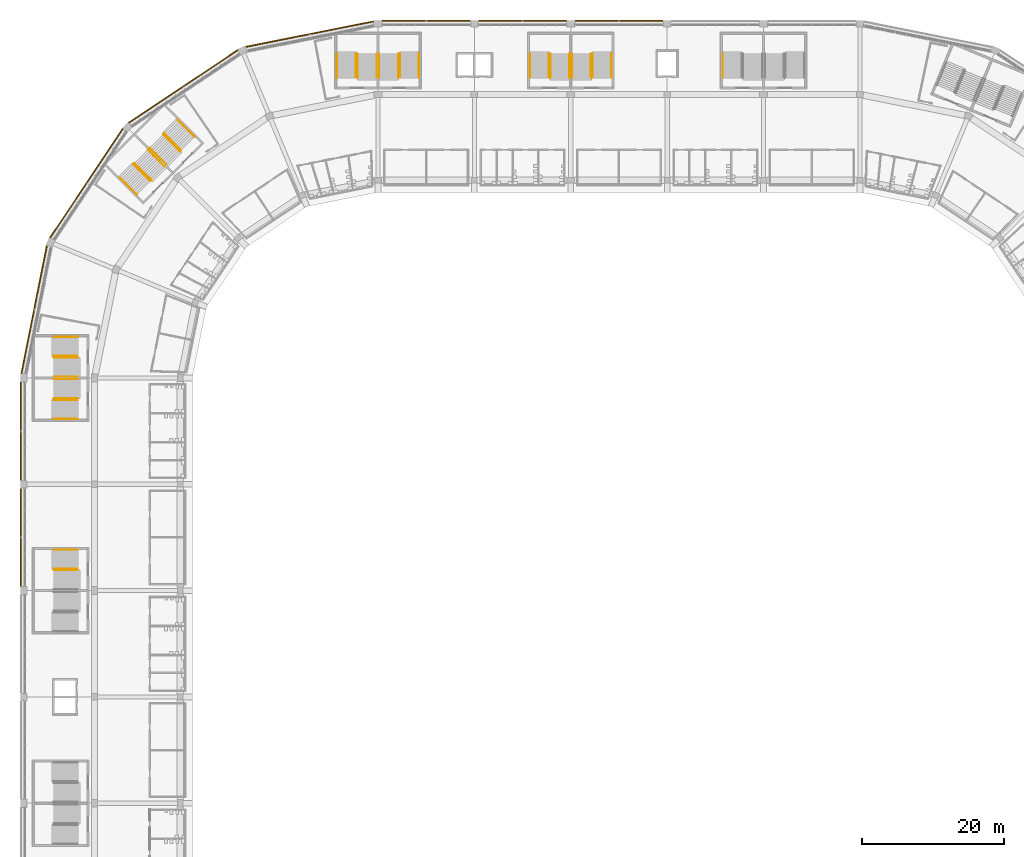
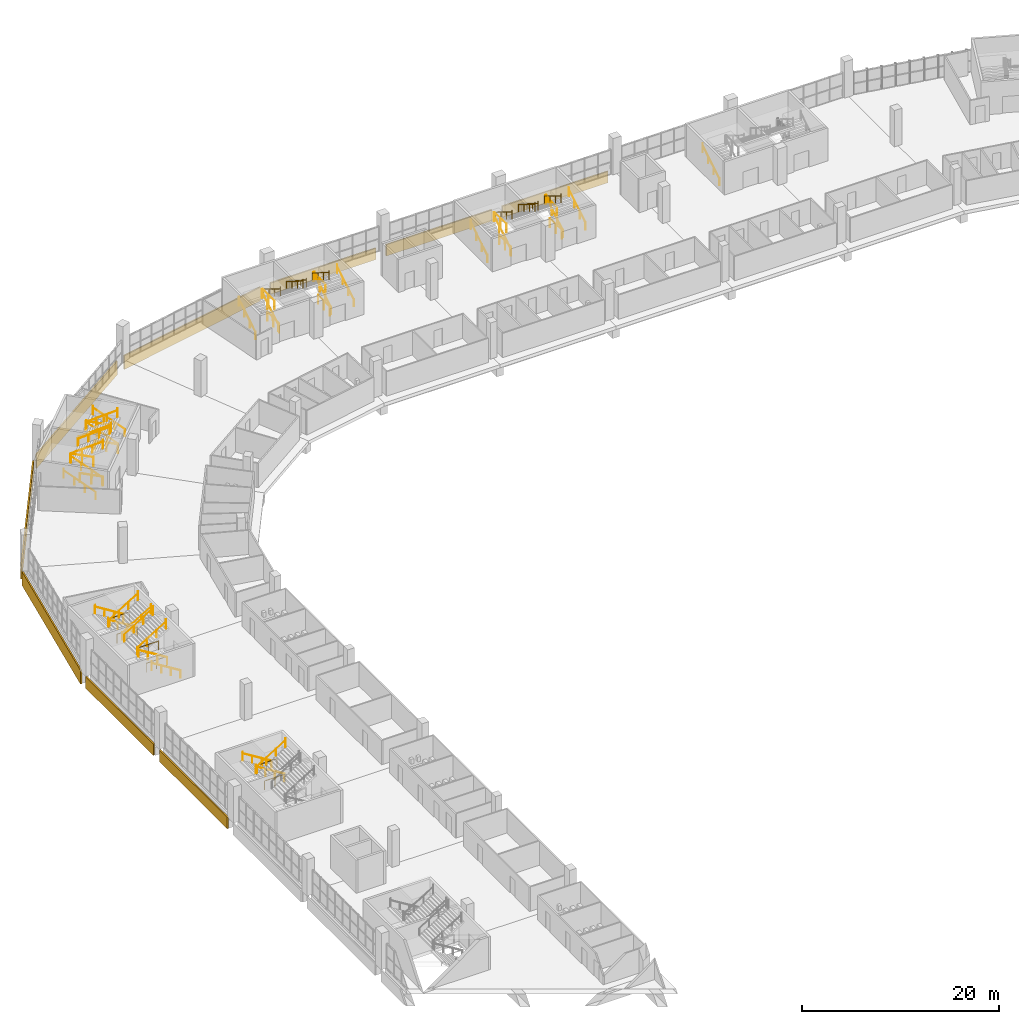
# One storey, part 190 of 199: 54 railings, 9 coverings.
"""IFC4 building model written with IfcOpenShell, lengths in metres."""

from ifc_helpers import new_model, si_unit, direction, frame, origin, origin_2d, place, context, subcontext, project, spatial, polyline, circle, outline, extrude, material, layer, layer_set, type_object, element, save


model = new_model("IFC4")

# Units and contexts
model_context = context("Model", 3, precision=1e-05, world=origin(), true_north=direction((0.0, 1.0)))
body_context = subcontext(model_context, "Body", "Model", "MODEL_VIEW")
ifc_project = project(units=[si_unit("LENGTHUNIT", "METRE"), si_unit("AREAUNIT", "SQUARE_METRE"), si_unit("VOLUMEUNIT", "CUBIC_METRE"), si_unit("PLANEANGLEUNIT", "RADIAN"), si_unit("MASSUNIT", "GRAM", prefix="KILO")], contexts=[model_context])

# Site, building, storey
site_placement = place(None, origin())
site = spatial("IfcSite", under=ifc_project, at=site_placement, CompositionType="ELEMENT")
building_placement = place(site_placement, origin())
building = spatial("IfcBuilding", under=site, at=building_placement, Name="Ogive Plaza Stadium", CompositionType="ELEMENT")
storey_placement = place(building_placement, frame((0.0, 0.0, 4.5)))
storey = spatial("IfcBuildingStorey", under=building, at=storey_placement, Name="L01", CompositionType="ELEMENT", Elevation=4.5)

# Railings
ifc_material_1 = material(Name="Steel ASTM A572 Grade 50", Category="steel")
railing_type_1 = type_object("IfcRailingType", Name="Guard 1100", PredefinedType="GUARDRAIL", material=ifc_material_1)
for number, where, name in (
    (1, (-76.35009765625, 25.47509765625, 0.0), "Stair well guard ST26A L01"),
    (2, (-77.31005859375, 25.47509765625, 2.25), "Stair well guard ST26A L01"),
    (3, (-76.35009765625, 55.47509765625, 0.0), "Stair well guard ST28A L01"),
    (4, (-77.31005859375, 55.47509765625, 2.25), "Stair well guard ST28A L01"),
    (5, (-76.35009765625, 49.52490234375, 0.0), "Stair well guard ST28B L01"),
    (6, (-77.31005859375, 49.52490234375, 2.25), "Stair well guard ST28B L01"),
):
    element("IfcRailing", number, at=place(storey_placement, frame(where)), inside=storey, type_object=railing_type_1, Name=name, PredefinedType="GUARDRAIL", context=body_context, shape_type="SweptSolid", body=[
        extrude(circle(Radius=0.02392578125, at=origin_2d()), frame((0.0, 0.0, 1.076171875), z_axis=(-1.0, 0.0, 0.0), x_axis=(0.0, -1.0, 0.0)), (0.0, 0.0, 1.0), 2.39990234375),
        extrude(circle(Radius=0.02099609375, at=origin_2d()), origin(), (0.0, 0.0, 1.0), 1.052001953125),
        extrude(circle(Radius=0.02099609375, at=origin_2d()), frame((-1.199951171875, 0.0, 0.0)), (0.0, 0.0, 1.0), 1.052001953125),
        extrude(circle(Radius=0.02099609375, at=origin_2d()), frame((-2.39990234375, 0.0, 0.0)), (0.0, 0.0, 1.0), 1.052001953125),
    ])
for number, where, name in (
    (7, (-61.84228515625, 84.549560546875, 0.0), "Stair well guard ST30A L01"),
    (8, (-62.521240234375, 85.228515625, 2.25), "Stair well guard ST30A L01"),
    (9, (-66.049560546875, 80.34228515625, 0.0), "Stair well guard ST30B L01"),
    (10, (-66.728515625, 81.021240234375, 2.25), "Stair well guard ST30B L01"),
):
    element("IfcRailing", number, at=place(storey_placement, frame(where)), inside=storey, type_object=railing_type_1, Name=name, PredefinedType="GUARDRAIL", context=body_context, shape_type="SweptSolid", body=[
        extrude(circle(Radius=0.02392578125, at=origin_2d()), frame((0.0, 0.0, 1.076171875), z_axis=(-0.707106781187, 0.707106781187, 0.0), x_axis=(-0.707106781187, -0.707106781187, 0.0)), (0.0, 0.0, 1.0), 2.39990234375),
        extrude(circle(Radius=0.02099609375, at=origin_2d()), origin(), (0.0, 0.0, 1.0), 1.052001953125),
        extrude(circle(Radius=0.02099609375, at=origin_2d()), frame((-0.8486328125, 0.8486328125, 0.0)), (0.0, 0.0, 1.0), 1.052001953125),
        extrude(circle(Radius=0.02099609375, at=origin_2d()), frame((-1.697021484375, 1.697021484375, 0.0)), (0.0, 0.0, 1.0), 1.052001953125),
    ])
for number, where, name in (
    (11, (-31.02490234375, 94.85009765625, 0.0), "Stair well guard ST32A L01"),
    (12, (-31.02490234375, 95.81005859375, 2.25), "Stair well guard ST32A L01"),
    (13, (-36.97509765625, 94.85009765625, 0.0), "Stair well guard ST32B L01"),
    (14, (-36.97509765625, 95.81005859375, 2.25), "Stair well guard ST32B L01"),
    (15, (-3.824951171875, 94.85009765625, 0.0), "Stair well guard ST34A L01"),
    (16, (-3.824951171875, 95.81005859375, 2.25), "Stair well guard ST34A L01"),
    (17, (-9.77490234375, 94.85009765625, 0.0), "Stair well guard ST34B L01"),
    (18, (-9.77490234375, 95.81005859375, 2.25), "Stair well guard ST34B L01"),
):
    element("IfcRailing", number, at=place(storey_placement, frame(where)), inside=storey, type_object=railing_type_1, Name=name, PredefinedType="GUARDRAIL", context=body_context, shape_type="SweptSolid", body=[
        extrude(circle(Radius=0.02392578125, at=origin_2d()), frame((0.0, 0.0, 1.076171875), z_axis=(0.0, 1.0, 0.0), x_axis=(-1.0, 0.0, 0.0)), (0.0, 0.0, 1.0), 2.39990234375),
        extrude(circle(Radius=0.02099609375, at=origin_2d()), origin(), (0.0, 0.0, 1.0), 1.052001953125),
        extrude(circle(Radius=0.02099609375, at=origin_2d()), frame((0.0, 1.199951171875, 0.0)), (0.0, 0.0, 1.0), 1.052001953125),
        extrude(circle(Radius=0.02099609375, at=origin_2d()), frame((0.0, 2.39990234375, 0.0)), (0.0, 0.0, 1.0), 1.052001953125),
    ])
ifc_material_2 = material(Name="Steel ASTM A572 Grade 50", Category="steel")
railing_type_2 = type_object("IfcRailingType", Name="Handrail 900", PredefinedType="HANDRAIL", material=ifc_material_2)
for number, where, name in (
    (19, (-76.35009765625, 28.264892578125, 0.173095703125), "Handrail ST26A L01"),
    (20, (-76.35009765625, 25.5849609375, 0.173095703125), "Handrail ST26A L01"),
):
    element("IfcRailing", number, at=place(storey_placement, frame(where)), inside=storey, type_object=railing_type_2, Name=name, PredefinedType="HANDRAIL", context=body_context, shape_type="SweptSolid", body=[
        extrude(circle(Radius=0.02392578125, at=origin_2d()), frame((0.0, 0.0, 0.8759765625), z_axis=(-0.850606129759, 0.0, 0.525803396734), x_axis=(0.0, -1.0, 0.0)), (0.0, 0.0, 1.0), 3.949951171875),
        extrude(circle(Radius=0.02099609375, at=origin_2d()), origin(), (0.0, 0.0, 1.0), 0.851806640625),
        extrude(circle(Radius=0.02099609375, at=origin_2d()), frame((-1.119873046875, 0.0, 0.6923828125)), (0.0, 0.0, 1.0), 0.851806640625),
        extrude(circle(Radius=0.02099609375, at=origin_2d()), frame((-2.239990234375, 0.0, 1.384521484375)), (0.0, 0.0, 1.0), 0.851806640625),
        extrude(circle(Radius=0.02099609375, at=origin_2d()), frame((-3.35986328125, 0.0, 2.076904296875)), (0.0, 0.0, 1.0), 1.10009765625),
    ])
railing_1_placement = place(storey_placement, frame((-79.7099609375, 25.364990234375, 2.423095703125)))
element("IfcRailing", 21, at=railing_1_placement, inside=storey, type_object=railing_type_2, Name="Handrail ST26A L01", PredefinedType="HANDRAIL", context=body_context, shape_type="SweptSolid", body=[
    extrude(circle(Radius=0.02392578125, at=origin_2d()), frame((0.0, 0.0, 0.8759765625), z_axis=(0.850606129759, 0.0, 0.525803396734), x_axis=(0.0, 1.0, 0.0)), (0.0, 0.0, 1.0), 3.949951171875),
    extrude(circle(Radius=0.02099609375, at=origin_2d()), origin(), (0.0, 0.0, 1.0), 0.851806640625),
    extrude(circle(Radius=0.02099609375, at=origin_2d()), frame((1.119873046875, 0.0, 0.6923828125)), (0.0, 0.0, 1.0), 0.851806640625),
    extrude(circle(Radius=0.02099609375, at=origin_2d()), frame((2.239990234375, 0.0, 1.384521484375)), (0.0, 0.0, 1.0), 0.851806640625),
    extrude(circle(Radius=0.02099609375, at=origin_2d()), frame((3.35986328125, 0.0, 2.076904296875)), (0.0, 0.0, 1.0), 1.10009765625),
])
for number, where, name in (
    (22, (-76.35009765625, 58.264892578125, 0.173095703125), "Handrail ST28A L01"),
    (23, (-76.35009765625, 55.5849609375, 0.173095703125), "Handrail ST28A L01"),
):
    element("IfcRailing", number, at=place(storey_placement, frame(where)), inside=storey, type_object=railing_type_2, Name=name, PredefinedType="HANDRAIL", context=body_context, shape_type="SweptSolid", body=[
        extrude(circle(Radius=0.02392578125, at=origin_2d()), frame((0.0, 0.0, 0.8759765625), z_axis=(-0.850606129759, 0.0, 0.525803396734), x_axis=(0.0, -1.0, 0.0)), (0.0, 0.0, 1.0), 3.949951171875),
        extrude(circle(Radius=0.02099609375, at=origin_2d()), origin(), (0.0, 0.0, 1.0), 0.851806640625),
        extrude(circle(Radius=0.02099609375, at=origin_2d()), frame((-1.119873046875, 0.0, 0.6923828125)), (0.0, 0.0, 1.0), 0.851806640625),
        extrude(circle(Radius=0.02099609375, at=origin_2d()), frame((-2.239990234375, 0.0, 1.384521484375)), (0.0, 0.0, 1.0), 0.851806640625),
        extrude(circle(Radius=0.02099609375, at=origin_2d()), frame((-3.35986328125, 0.0, 2.076904296875)), (0.0, 0.0, 1.0), 1.10009765625),
    ])
for number, where, name in (
    (24, (-79.7099609375, 55.364990234375, 2.423095703125), "Handrail ST28A L01"),
    (25, (-79.7099609375, 52.68505859375, 2.423095703125), "Handrail ST28A L01"),
):
    element("IfcRailing", number, at=place(storey_placement, frame(where)), inside=storey, type_object=railing_type_2, Name=name, PredefinedType="HANDRAIL", context=body_context, shape_type="SweptSolid", body=[
        extrude(circle(Radius=0.02392578125, at=origin_2d()), frame((0.0, 0.0, 0.8759765625), z_axis=(0.850606129759, 0.0, 0.525803396734), x_axis=(0.0, 1.0, 0.0)), (0.0, 0.0, 1.0), 3.949951171875),
        extrude(circle(Radius=0.02099609375, at=origin_2d()), origin(), (0.0, 0.0, 1.0), 0.851806640625),
        extrude(circle(Radius=0.02099609375, at=origin_2d()), frame((1.119873046875, 0.0, 0.6923828125)), (0.0, 0.0, 1.0), 0.851806640625),
        extrude(circle(Radius=0.02099609375, at=origin_2d()), frame((2.239990234375, 0.0, 1.384521484375)), (0.0, 0.0, 1.0), 0.851806640625),
        extrude(circle(Radius=0.02099609375, at=origin_2d()), frame((3.35986328125, 0.0, 2.076904296875)), (0.0, 0.0, 1.0), 1.10009765625),
    ])
for number, where, name in (
    (26, (-76.35009765625, 49.4150390625, 0.173095703125), "Handrail ST28B L01"),
    (27, (-76.35009765625, 46.735107421875, 0.173095703125), "Handrail ST28B L01"),
):
    element("IfcRailing", number, at=place(storey_placement, frame(where)), inside=storey, type_object=railing_type_2, Name=name, PredefinedType="HANDRAIL", context=body_context, shape_type="SweptSolid", body=[
        extrude(circle(Radius=0.02392578125, at=origin_2d()), frame((0.0, 0.0, 0.8759765625), z_axis=(-0.850606129759, 0.0, 0.525803396734), x_axis=(0.0, -1.0, 0.0)), (0.0, 0.0, 1.0), 3.949951171875),
        extrude(circle(Radius=0.02099609375, at=origin_2d()), origin(), (0.0, 0.0, 1.0), 0.851806640625),
        extrude(circle(Radius=0.02099609375, at=origin_2d()), frame((-1.119873046875, 0.0, 0.6923828125)), (0.0, 0.0, 1.0), 0.851806640625),
        extrude(circle(Radius=0.02099609375, at=origin_2d()), frame((-2.239990234375, 0.0, 1.384521484375)), (0.0, 0.0, 1.0), 0.851806640625),
        extrude(circle(Radius=0.02099609375, at=origin_2d()), frame((-3.35986328125, 0.0, 2.076904296875)), (0.0, 0.0, 1.0), 1.10009765625),
    ])
for number, where, name in (
    (28, (-79.7099609375, 52.31494140625, 2.423095703125), "Handrail ST28B L01"),
    (29, (-79.7099609375, 49.635009765625, 2.423095703125), "Handrail ST28B L01"),
):
    element("IfcRailing", number, at=place(storey_placement, frame(where)), inside=storey, type_object=railing_type_2, Name=name, PredefinedType="HANDRAIL", context=body_context, shape_type="SweptSolid", body=[
        extrude(circle(Radius=0.02392578125, at=origin_2d()), frame((0.0, 0.0, 0.8759765625), z_axis=(0.850606129759, 0.0, 0.525803396734), x_axis=(0.0, 1.0, 0.0)), (0.0, 0.0, 1.0), 3.949951171875),
        extrude(circle(Radius=0.02099609375, at=origin_2d()), origin(), (0.0, 0.0, 1.0), 0.851806640625),
        extrude(circle(Radius=0.02099609375, at=origin_2d()), frame((1.119873046875, 0.0, 0.6923828125)), (0.0, 0.0, 1.0), 0.851806640625),
        extrude(circle(Radius=0.02099609375, at=origin_2d()), frame((2.239990234375, 0.0, 1.384521484375)), (0.0, 0.0, 1.0), 0.851806640625),
        extrude(circle(Radius=0.02099609375, at=origin_2d()), frame((3.35986328125, 0.0, 2.076904296875)), (0.0, 0.0, 1.0), 1.10009765625),
    ])
railing_2_placement = place(storey_placement, frame((-59.869384765625, 86.5224609375, 0.173095703125)))
element("IfcRailing", 30, at=railing_2_placement, inside=storey, type_object=railing_type_2, Name="Handrail ST30A L01", PredefinedType="HANDRAIL", context=body_context, shape_type="SweptSolid", body=[
    extrude(circle(Radius=0.02392578125, at=origin_2d()), frame((0.0, 0.0, 0.8759765625), z_axis=(-0.601482971545, 0.601482971545, 0.525772260474), x_axis=(-0.707106781187, -0.707106781187, 0.0)), (0.0, 0.0, 1.0), 3.9501953125),
    extrude(circle(Radius=0.02099609375, at=origin_2d()), origin(), (0.0, 0.0, 1.0), 0.851806640625),
    extrude(circle(Radius=0.02099609375, at=origin_2d()), frame((-0.7919921875, 0.7919921875, 0.6923828125)), (0.0, 0.0, 1.0), 0.851806640625),
    extrude(circle(Radius=0.02099609375, at=origin_2d()), frame((-1.583984375, 1.583984375, 1.384521484375)), (0.0, 0.0, 1.0), 0.851806640625),
    extrude(circle(Radius=0.02099609375, at=origin_2d()), frame((-2.3759765625, 2.3759765625, 2.076904296875)), (0.0, 0.0, 1.0), 1.10009765625),
])
railing_3_placement = place(storey_placement, frame((-61.7646484375, 84.62744140625, 0.173095703125)))
element("IfcRailing", 31, at=railing_3_placement, inside=storey, type_object=railing_type_2, Name="Handrail ST30A L01", PredefinedType="HANDRAIL", context=body_context, shape_type="SweptSolid", body=[
    extrude(circle(Radius=0.02392578125, at=origin_2d()), frame((0.0, 0.0, 0.8759765625), z_axis=(-0.601465884576, 0.601465884576, 0.525811353416), x_axis=(-0.707106781187, -0.707106781187, 0.0)), (0.0, 0.0, 1.0), 3.949951171875),
    extrude(circle(Radius=0.02099609375, at=origin_2d()), origin(), (0.0, 0.0, 1.0), 0.851806640625),
    extrude(circle(Radius=0.02099609375, at=origin_2d()), frame((-0.7919921875, 0.7919921875, 0.6923828125)), (0.0, 0.0, 1.0), 0.851806640625),
    extrude(circle(Radius=0.02099609375, at=origin_2d()), frame((-1.583740234375, 1.583740234375, 1.384521484375)), (0.0, 0.0, 1.0), 0.851806640625),
    extrude(circle(Radius=0.02099609375, at=origin_2d()), frame((-2.375732421875, 2.375732421875, 2.076904296875)), (0.0, 0.0, 1.0), 1.10009765625),
])
for number, where, name in (
    (32, (-64.2958984375, 86.84765625, 2.423095703125), "Handrail ST30A L01"),
    (33, (-66.19091796875, 84.95263671875, 2.423095703125), "Handrail ST30A L01"),
):
    element("IfcRailing", number, at=place(storey_placement, frame(where)), inside=storey, type_object=railing_type_2, Name=name, PredefinedType="HANDRAIL", context=body_context, shape_type="SweptSolid", body=[
        extrude(circle(Radius=0.02392578125, at=origin_2d()), frame((0.0, 0.0, 0.8759765625), z_axis=(0.601465884576, -0.601465884576, 0.525811353416), x_axis=(0.707106781187, 0.707106781187, 0.0)), (0.0, 0.0, 1.0), 3.949951171875),
        extrude(circle(Radius=0.02099609375, at=origin_2d()), origin(), (0.0, 0.0, 1.0), 0.851806640625),
        extrude(circle(Radius=0.02099609375, at=origin_2d()), frame((0.7919921875, -0.7919921875, 0.6923828125)), (0.0, 0.0, 1.0), 0.851806640625),
        extrude(circle(Radius=0.02099609375, at=origin_2d()), frame((1.583740234375, -1.583740234375, 1.384521484375)), (0.0, 0.0, 1.0), 0.851806640625),
        extrude(circle(Radius=0.02099609375, at=origin_2d()), frame((2.375732421875, -2.375732421875, 2.076904296875)), (0.0, 0.0, 1.0), 1.10009765625),
    ])
railing_4_placement = place(storey_placement, frame((-66.12744140625, 80.2646484375, 0.173095703125)))
element("IfcRailing", 34, at=railing_4_placement, inside=storey, type_object=railing_type_2, Name="Handrail ST30B L01", PredefinedType="HANDRAIL", context=body_context, shape_type="SweptSolid", body=[
    extrude(circle(Radius=0.02392578125, at=origin_2d()), frame((0.0, 0.0, 0.8759765625), z_axis=(-0.601465884576, 0.601465884576, 0.525811353416), x_axis=(-0.707106781187, -0.707106781187, 0.0)), (0.0, 0.0, 1.0), 3.949951171875),
    extrude(circle(Radius=0.02099609375, at=origin_2d()), origin(), (0.0, 0.0, 1.0), 0.851806640625),
    extrude(circle(Radius=0.02099609375, at=origin_2d()), frame((-0.7919921875, 0.7919921875, 0.6923828125)), (0.0, 0.0, 1.0), 0.851806640625),
    extrude(circle(Radius=0.02099609375, at=origin_2d()), frame((-1.583740234375, 1.583740234375, 1.384521484375)), (0.0, 0.0, 1.0), 0.851806640625),
    extrude(circle(Radius=0.02099609375, at=origin_2d()), frame((-2.375732421875, 2.375732421875, 2.076904296875)), (0.0, 0.0, 1.0), 1.10009765625),
])
railing_5_placement = place(storey_placement, frame((-68.0224609375, 78.369384765625, 0.173095703125)))
element("IfcRailing", 35, at=railing_5_placement, inside=storey, type_object=railing_type_2, Name="Handrail ST30B L01", PredefinedType="HANDRAIL", context=body_context, shape_type="SweptSolid", body=[
    extrude(circle(Radius=0.02392578125, at=origin_2d()), frame((0.0, 0.0, 0.8759765625), z_axis=(-0.601482971545, 0.601482971545, 0.525772260474), x_axis=(-0.707106781187, -0.707106781187, 0.0)), (0.0, 0.0, 1.0), 3.9501953125),
    extrude(circle(Radius=0.02099609375, at=origin_2d()), origin(), (0.0, 0.0, 1.0), 0.851806640625),
    extrude(circle(Radius=0.02099609375, at=origin_2d()), frame((-0.7919921875, 0.7919921875, 0.6923828125)), (0.0, 0.0, 1.0), 0.851806640625),
    extrude(circle(Radius=0.02099609375, at=origin_2d()), frame((-1.583984375, 1.583984375, 1.384521484375)), (0.0, 0.0, 1.0), 0.851806640625),
    extrude(circle(Radius=0.02099609375, at=origin_2d()), frame((-2.3759765625, 2.3759765625, 2.076904296875)), (0.0, 0.0, 1.0), 1.10009765625),
])
for number, where, name in (
    (36, (-66.45263671875, 84.69091796875, 2.423095703125), "Handrail ST30B L01"),
    (37, (-68.34765625, 82.7958984375, 2.423095703125), "Handrail ST30B L01"),
):
    element("IfcRailing", number, at=place(storey_placement, frame(where)), inside=storey, type_object=railing_type_2, Name=name, PredefinedType="HANDRAIL", context=body_context, shape_type="SweptSolid", body=[
        extrude(circle(Radius=0.02392578125, at=origin_2d()), frame((0.0, 0.0, 0.8759765625), z_axis=(0.601465884576, -0.601465884576, 0.525811353416), x_axis=(0.707106781187, 0.707106781187, 0.0)), (0.0, 0.0, 1.0), 3.949951171875),
        extrude(circle(Radius=0.02099609375, at=origin_2d()), origin(), (0.0, 0.0, 1.0), 0.851806640625),
        extrude(circle(Radius=0.02099609375, at=origin_2d()), frame((0.7919921875, -0.7919921875, 0.6923828125)), (0.0, 0.0, 1.0), 0.851806640625),
        extrude(circle(Radius=0.02099609375, at=origin_2d()), frame((1.583740234375, -1.583740234375, 1.384521484375)), (0.0, 0.0, 1.0), 0.851806640625),
        extrude(circle(Radius=0.02099609375, at=origin_2d()), frame((2.375732421875, -2.375732421875, 2.076904296875)), (0.0, 0.0, 1.0), 1.10009765625),
    ])
for number, where, name in (
    (38, (-28.235107421875, 94.85009765625, 0.173095703125), "Handrail ST32A L01"),
    (39, (-30.9150390625, 94.85009765625, 0.173095703125), "Handrail ST32A L01"),
):
    element("IfcRailing", number, at=place(storey_placement, frame(where)), inside=storey, type_object=railing_type_2, Name=name, PredefinedType="HANDRAIL", context=body_context, shape_type="SweptSolid", body=[
        extrude(circle(Radius=0.02392578125, at=origin_2d()), frame((0.0, 0.0, 0.8759765625), z_axis=(0.0, 0.850606129759, 0.525803396734), x_axis=(-1.0, 0.0, 0.0)), (0.0, 0.0, 1.0), 3.949951171875),
        extrude(circle(Radius=0.02099609375, at=origin_2d()), origin(), (0.0, 0.0, 1.0), 0.851806640625),
        extrude(circle(Radius=0.02099609375, at=origin_2d()), frame((0.0, 1.119873046875, 0.6923828125)), (0.0, 0.0, 1.0), 0.851806640625),
        extrude(circle(Radius=0.02099609375, at=origin_2d()), frame((0.0, 2.239990234375, 1.384521484375)), (0.0, 0.0, 1.0), 0.851806640625),
        extrude(circle(Radius=0.02099609375, at=origin_2d()), frame((0.0, 3.35986328125, 2.076904296875)), (0.0, 0.0, 1.0), 1.10009765625),
    ])
for number, where, name in (
    (40, (-31.135009765625, 98.2099609375, 2.423095703125), "Handrail ST32A L01"),
    (41, (-33.81494140625, 98.2099609375, 2.423095703125), "Handrail ST32A L01"),
):
    element("IfcRailing", number, at=place(storey_placement, frame(where)), inside=storey, type_object=railing_type_2, Name=name, PredefinedType="HANDRAIL", context=body_context, shape_type="SweptSolid", body=[
        extrude(circle(Radius=0.02392578125, at=origin_2d()), frame((0.0, 0.0, 0.8759765625), z_axis=(0.0, -0.850606129759, 0.525803396734), x_axis=(1.0, 0.0, 0.0)), (0.0, 0.0, 1.0), 3.949951171875),
        extrude(circle(Radius=0.02099609375, at=origin_2d()), origin(), (0.0, 0.0, 1.0), 0.851806640625),
        extrude(circle(Radius=0.02099609375, at=origin_2d()), frame((0.0, -1.119873046875, 0.6923828125)), (0.0, 0.0, 1.0), 0.851806640625),
        extrude(circle(Radius=0.02099609375, at=origin_2d()), frame((0.0, -2.239990234375, 1.384521484375)), (0.0, 0.0, 1.0), 0.851806640625),
        extrude(circle(Radius=0.02099609375, at=origin_2d()), frame((0.0, -3.35986328125, 2.076904296875)), (0.0, 0.0, 1.0), 1.10009765625),
    ])
for number, where, name in (
    (42, (-37.0849609375, 94.85009765625, 0.173095703125), "Handrail ST32B L01"),
    (43, (-39.764892578125, 94.85009765625, 0.173095703125), "Handrail ST32B L01"),
):
    element("IfcRailing", number, at=place(storey_placement, frame(where)), inside=storey, type_object=railing_type_2, Name=name, PredefinedType="HANDRAIL", context=body_context, shape_type="SweptSolid", body=[
        extrude(circle(Radius=0.02392578125, at=origin_2d()), frame((0.0, 0.0, 0.8759765625), z_axis=(0.0, 0.850606129759, 0.525803396734), x_axis=(-1.0, 0.0, 0.0)), (0.0, 0.0, 1.0), 3.949951171875),
        extrude(circle(Radius=0.02099609375, at=origin_2d()), origin(), (0.0, 0.0, 1.0), 0.851806640625),
        extrude(circle(Radius=0.02099609375, at=origin_2d()), frame((0.0, 1.119873046875, 0.6923828125)), (0.0, 0.0, 1.0), 0.851806640625),
        extrude(circle(Radius=0.02099609375, at=origin_2d()), frame((0.0, 2.239990234375, 1.384521484375)), (0.0, 0.0, 1.0), 0.851806640625),
        extrude(circle(Radius=0.02099609375, at=origin_2d()), frame((0.0, 3.35986328125, 2.076904296875)), (0.0, 0.0, 1.0), 1.10009765625),
    ])
for number, where, name in (
    (44, (-34.18505859375, 98.2099609375, 2.423095703125), "Handrail ST32B L01"),
    (45, (-36.864990234375, 98.2099609375, 2.423095703125), "Handrail ST32B L01"),
):
    element("IfcRailing", number, at=place(storey_placement, frame(where)), inside=storey, type_object=railing_type_2, Name=name, PredefinedType="HANDRAIL", context=body_context, shape_type="SweptSolid", body=[
        extrude(circle(Radius=0.02392578125, at=origin_2d()), frame((0.0, 0.0, 0.8759765625), z_axis=(0.0, -0.850606129759, 0.525803396734), x_axis=(1.0, 0.0, 0.0)), (0.0, 0.0, 1.0), 3.949951171875),
        extrude(circle(Radius=0.02099609375, at=origin_2d()), origin(), (0.0, 0.0, 1.0), 0.851806640625),
        extrude(circle(Radius=0.02099609375, at=origin_2d()), frame((0.0, -1.119873046875, 0.6923828125)), (0.0, 0.0, 1.0), 0.851806640625),
        extrude(circle(Radius=0.02099609375, at=origin_2d()), frame((0.0, -2.239990234375, 1.384521484375)), (0.0, 0.0, 1.0), 0.851806640625),
        extrude(circle(Radius=0.02099609375, at=origin_2d()), frame((0.0, -3.35986328125, 2.076904296875)), (0.0, 0.0, 1.0), 1.10009765625),
    ])
for number, where, name in (
    (46, (-1.034912109375, 94.85009765625, 0.173095703125), "Handrail ST34A L01"),
    (47, (-3.715087890625, 94.85009765625, 0.173095703125), "Handrail ST34A L01"),
):
    element("IfcRailing", number, at=place(storey_placement, frame(where)), inside=storey, type_object=railing_type_2, Name=name, PredefinedType="HANDRAIL", context=body_context, shape_type="SweptSolid", body=[
        extrude(circle(Radius=0.02392578125, at=origin_2d()), frame((0.0, 0.0, 0.8759765625), z_axis=(0.0, 0.850606129759, 0.525803396734), x_axis=(-1.0, 0.0, 0.0)), (0.0, 0.0, 1.0), 3.949951171875),
        extrude(circle(Radius=0.02099609375, at=origin_2d()), origin(), (0.0, 0.0, 1.0), 0.851806640625),
        extrude(circle(Radius=0.02099609375, at=origin_2d()), frame((0.0, 1.119873046875, 0.6923828125)), (0.0, 0.0, 1.0), 0.851806640625),
        extrude(circle(Radius=0.02099609375, at=origin_2d()), frame((0.0, 2.239990234375, 1.384521484375)), (0.0, 0.0, 1.0), 0.851806640625),
        extrude(circle(Radius=0.02099609375, at=origin_2d()), frame((0.0, 3.35986328125, 2.076904296875)), (0.0, 0.0, 1.0), 1.10009765625),
    ])
for number, where, name in (
    (48, (-3.93505859375, 98.2099609375, 2.423095703125), "Handrail ST34A L01"),
    (49, (-6.614990234375, 98.2099609375, 2.423095703125), "Handrail ST34A L01"),
):
    element("IfcRailing", number, at=place(storey_placement, frame(where)), inside=storey, type_object=railing_type_2, Name=name, PredefinedType="HANDRAIL", context=body_context, shape_type="SweptSolid", body=[
        extrude(circle(Radius=0.02392578125, at=origin_2d()), frame((0.0, 0.0, 0.8759765625), z_axis=(0.0, -0.850606129759, 0.525803396734), x_axis=(1.0, 0.0, 0.0)), (0.0, 0.0, 1.0), 3.949951171875),
        extrude(circle(Radius=0.02099609375, at=origin_2d()), origin(), (0.0, 0.0, 1.0), 0.851806640625),
        extrude(circle(Radius=0.02099609375, at=origin_2d()), frame((0.0, -1.119873046875, 0.6923828125)), (0.0, 0.0, 1.0), 0.851806640625),
        extrude(circle(Radius=0.02099609375, at=origin_2d()), frame((0.0, -2.239990234375, 1.384521484375)), (0.0, 0.0, 1.0), 0.851806640625),
        extrude(circle(Radius=0.02099609375, at=origin_2d()), frame((0.0, -3.35986328125, 2.076904296875)), (0.0, 0.0, 1.0), 1.10009765625),
    ])
for number, where, name in (
    (50, (-9.885009765625, 94.85009765625, 0.173095703125), "Handrail ST34B L01"),
    (51, (-12.56494140625, 94.85009765625, 0.173095703125), "Handrail ST34B L01"),
):
    element("IfcRailing", number, at=place(storey_placement, frame(where)), inside=storey, type_object=railing_type_2, Name=name, PredefinedType="HANDRAIL", context=body_context, shape_type="SweptSolid", body=[
        extrude(circle(Radius=0.02392578125, at=origin_2d()), frame((0.0, 0.0, 0.8759765625), z_axis=(0.0, 0.850606129759, 0.525803396734), x_axis=(-1.0, 0.0, 0.0)), (0.0, 0.0, 1.0), 3.949951171875),
        extrude(circle(Radius=0.02099609375, at=origin_2d()), origin(), (0.0, 0.0, 1.0), 0.851806640625),
        extrude(circle(Radius=0.02099609375, at=origin_2d()), frame((0.0, 1.119873046875, 0.6923828125)), (0.0, 0.0, 1.0), 0.851806640625),
        extrude(circle(Radius=0.02099609375, at=origin_2d()), frame((0.0, 2.239990234375, 1.384521484375)), (0.0, 0.0, 1.0), 0.851806640625),
        extrude(circle(Radius=0.02099609375, at=origin_2d()), frame((0.0, 3.35986328125, 2.076904296875)), (0.0, 0.0, 1.0), 1.10009765625),
    ])
for number, where, name in (
    (52, (-6.985107421875, 98.2099609375, 2.423095703125), "Handrail ST34B L01"),
    (53, (-9.6650390625, 98.2099609375, 2.423095703125), "Handrail ST34B L01"),
):
    element("IfcRailing", number, at=place(storey_placement, frame(where)), inside=storey, type_object=railing_type_2, Name=name, PredefinedType="HANDRAIL", context=body_context, shape_type="SweptSolid", body=[
        extrude(circle(Radius=0.02392578125, at=origin_2d()), frame((0.0, 0.0, 0.8759765625), z_axis=(0.0, -0.850606129759, 0.525803396734), x_axis=(1.0, 0.0, 0.0)), (0.0, 0.0, 1.0), 3.949951171875),
        extrude(circle(Radius=0.02099609375, at=origin_2d()), origin(), (0.0, 0.0, 1.0), 0.851806640625),
        extrude(circle(Radius=0.02099609375, at=origin_2d()), frame((0.0, -1.119873046875, 0.6923828125)), (0.0, 0.0, 1.0), 0.851806640625),
        extrude(circle(Radius=0.02099609375, at=origin_2d()), frame((0.0, -2.239990234375, 1.384521484375)), (0.0, 0.0, 1.0), 0.851806640625),
        extrude(circle(Radius=0.02099609375, at=origin_2d()), frame((0.0, -3.35986328125, 2.076904296875)), (0.0, 0.0, 1.0), 1.10009765625),
    ])
railing_6_placement = place(storey_placement, frame((14.635009765625, 94.85009765625, 0.173095703125)))
element("IfcRailing", 54, at=railing_6_placement, inside=storey, type_object=railing_type_2, Name="Handrail ST36B L01", PredefinedType="HANDRAIL", context=body_context, shape_type="SweptSolid", body=[
    extrude(circle(Radius=0.02392578125, at=origin_2d()), frame((0.0, 0.0, 0.8759765625), z_axis=(0.0, 0.850606129759, 0.525803396734), x_axis=(-1.0, 0.0, 0.0)), (0.0, 0.0, 1.0), 3.949951171875),
    extrude(circle(Radius=0.02099609375, at=origin_2d()), origin(), (0.0, 0.0, 1.0), 0.851806640625),
    extrude(circle(Radius=0.02099609375, at=origin_2d()), frame((0.0, 1.119873046875, 0.6923828125)), (0.0, 0.0, 1.0), 0.851806640625),
    extrude(circle(Radius=0.02099609375, at=origin_2d()), frame((0.0, 2.239990234375, 1.384521484375)), (0.0, 0.0, 1.0), 0.851806640625),
    extrude(circle(Radius=0.02099609375, at=origin_2d()), frame((0.0, 3.35986328125, 2.076904296875)), (0.0, 0.0, 1.0), 1.10009765625),
])

# Coverings
ifc_material_3 = material(Name="Cast stone (reconstituted limestone)", Category="masonry")
ifc_layer = layer(ifc_material_3, 0.159912109375)
ifc_layer_set = layer_set([ifc_layer], Name="Precast spandrel cladding 160")
covering_type = type_object("IfcCoveringType", Name="Precast spandrel cladding 160", PredefinedType="CLADDING", material=ifc_layer_set)
covering_1_placement = place(storey_placement, frame((0.0, 0.0, -1.409912109375)))
element("IfcCovering", 55, at=covering_1_placement, inside=storey, type_object=covering_type, Name="SPANDREL CLADDING B26 L01", PredefinedType="CLADDING", context=body_context, shape_type="SweptSolid", body=[
    extrude(outline(polyline([(-84.35009765625, 23.10009765625), (-84.35009765625, 36.89990234375), (-84.510009765625, 36.89990234375), (-84.510009765625, 23.10009765625), (-84.35009765625, 23.10009765625)])), origin(), (0.0, 0.0, 1.0), 1.409912109375),
])
covering_2_placement = place(storey_placement, frame((0.0, 0.0, -1.409912109375)))
element("IfcCovering", 56, at=covering_2_placement, inside=storey, type_object=covering_type, Name="SPANDREL CLADDING B27 L01", PredefinedType="CLADDING", context=body_context, shape_type="SweptSolid", body=[
    extrude(outline(polyline([(-84.35009765625, 38.10009765625), (-84.35009765625, 51.89990234375), (-84.510009765625, 51.89990234375), (-84.510009765625, 38.10009765625), (-84.35009765625, 38.10009765625)])), origin(), (0.0, 0.0, 1.0), 1.409912109375),
])
covering_3_placement = place(storey_placement, frame((0.0, 0.0, -1.7099609375)))
element("IfcCovering", 57, at=covering_3_placement, inside=storey, type_object=covering_type, Name="SPANDREL CLADDING B28 L01", PredefinedType="CLADDING", context=body_context, shape_type="SweptSolid", body=[
    extrude(outline(polyline([(-84.237548828125, 53.10009765625), (-80.64306640625, 71.170654296875), (-80.800048828125, 71.201904296875), (-84.39453125, 53.131103515625), (-84.237548828125, 53.10009765625)])), origin(), (0.0, 0.0, 1.0), 1.7099609375),
])
covering_4_placement = place(storey_placement, frame((0.0, 0.0, -1.7099609375)))
element("IfcCovering", 58, at=covering_4_placement, inside=storey, type_object=covering_type, Name="SPANDREL CLADDING B29 L01", PredefinedType="CLADDING", context=body_context, shape_type="SweptSolid", body=[
    extrude(outline(polyline([(-80.212158203125, 72.237060546875), (-69.919189453125, 87.641357421875), (-70.05224609375, 87.730224609375), (-80.34521484375, 72.325927734375), (-80.212158203125, 72.237060546875)])), origin(), (0.0, 0.0, 1.0), 1.7099609375),
])
covering_5_placement = place(storey_placement, frame((0.0, 0.0, -1.7099609375)))
element("IfcCovering", 59, at=covering_5_placement, inside=storey, type_object=covering_type, Name="SPANDREL CLADDING B30 L01", PredefinedType="CLADDING", context=body_context, shape_type="SweptSolid", body=[
    extrude(outline(polyline([(-69.141357421875, 88.419189453125), (-53.737060546875, 98.712158203125), (-53.825927734375, 98.84521484375), (-69.230224609375, 88.55224609375), (-69.141357421875, 88.419189453125)])), origin(), (0.0, 0.0, 1.0), 1.7099609375),
])
covering_6_placement = place(storey_placement, frame((0.0, 0.0, -1.7099609375)))
element("IfcCovering", 60, at=covering_6_placement, inside=storey, type_object=covering_type, Name="SPANDREL CLADDING B31 L01", PredefinedType="CLADDING", context=body_context, shape_type="SweptSolid", body=[
    extrude(outline(polyline([(-52.670654296875, 99.14306640625), (-34.60009765625, 102.737548828125), (-34.631103515625, 102.89453125), (-52.701904296875, 99.300048828125), (-52.670654296875, 99.14306640625)])), origin(), (0.0, 0.0, 1.0), 1.7099609375),
])
covering_7_placement = place(storey_placement, frame((0.0, 0.0, -1.409912109375)))
element("IfcCovering", 61, at=covering_7_placement, inside=storey, type_object=covering_type, Name="SPANDREL CLADDING B32 L01", PredefinedType="CLADDING", context=body_context, shape_type="SweptSolid", body=[
    extrude(outline(polyline([(-33.39990234375, 102.85009765625), (-21.0, 102.85009765625), (-21.0, 103.010009765625), (-33.39990234375, 103.010009765625), (-33.39990234375, 102.85009765625)])), origin(), (0.0, 0.0, 1.0), 1.409912109375),
])
covering_8_placement = place(storey_placement, frame((0.0, 0.0, -1.409912109375)))
element("IfcCovering", 62, at=covering_8_placement, inside=storey, type_object=covering_type, Name="SPANDREL CLADDING B33 L01", PredefinedType="CLADDING", context=body_context, shape_type="SweptSolid", body=[
    extrude(outline(polyline([(-19.800048828125, 102.85009765625), (-7.39990234375, 102.85009765625), (-7.39990234375, 103.010009765625), (-19.800048828125, 103.010009765625), (-19.800048828125, 102.85009765625)])), origin(), (0.0, 0.0, 1.0), 1.409912109375),
])
covering_9_placement = place(storey_placement, frame((0.0, 0.0, -1.409912109375)))
element("IfcCovering", 63, at=covering_9_placement, inside=storey, type_object=covering_type, Name="SPANDREL CLADDING B34 L01", PredefinedType="CLADDING", context=body_context, shape_type="SweptSolid", body=[
    extrude(outline(polyline([(-6.199951171875, 102.85009765625), (6.199951171875, 102.85009765625), (6.199951171875, 103.010009765625), (-6.199951171875, 103.010009765625), (-6.199951171875, 102.85009765625)])), origin(), (0.0, 0.0, 1.0), 1.409912109375),
])

save(model, "model.ifc")
